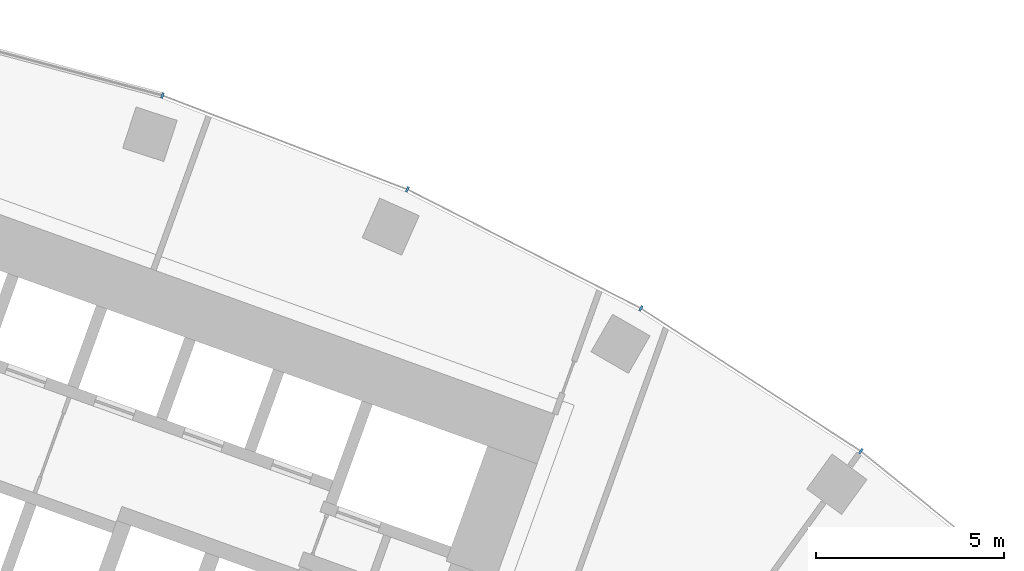
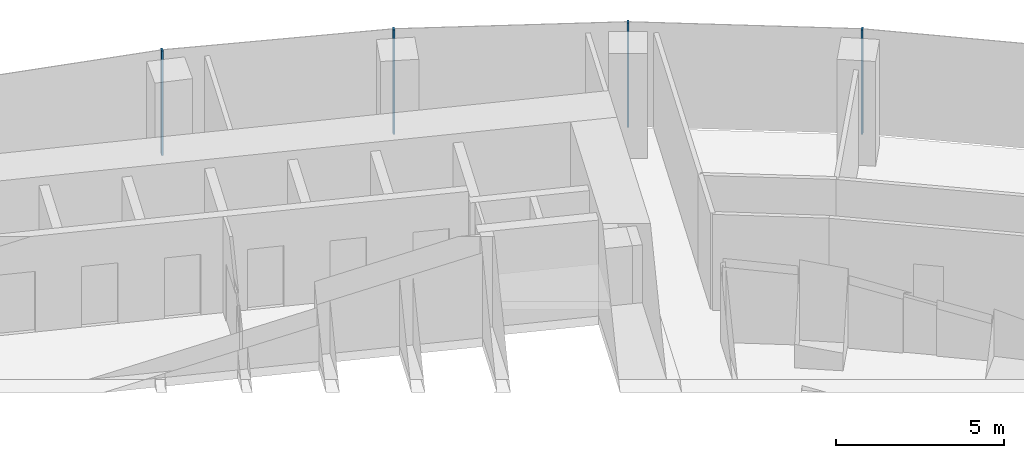
# One storey, part 9 of 19: 4 members, 1 element without a shape of its own.
"""IFC4 building model written with IfcOpenShell, lengths in metres."""

from ifc_helpers import new_model, si_unit, direction, frame, origin, origin_2d, place, context, subcontext, project, spatial, rectangle, extrude, material, layer, layer_set, material_profile, profile_set, type_object, element, aggregate, save


model = new_model("IFC4")

# Units and contexts
model_context = context("Model", 3, precision=1e-05, world=origin(), true_north=direction((0.0, 1.0)))
body_context = subcontext(model_context, "Body", "Model", "MODEL_VIEW")
ifc_project = project(units=[si_unit("LENGTHUNIT", "METRE"), si_unit("AREAUNIT", "SQUARE_METRE"), si_unit("VOLUMEUNIT", "CUBIC_METRE"), si_unit("PLANEANGLEUNIT", "RADIAN"), si_unit("MASSUNIT", "GRAM", prefix="KILO")], contexts=[model_context])

# Site, building, storey
site_placement = place(None, origin())
site = spatial("IfcSite", under=ifc_project, at=site_placement, CompositionType="ELEMENT")
building_placement = place(site_placement, origin())
building = spatial("IfcBuilding", under=site, at=building_placement, Name="Stone Belt Terrace Tower", CompositionType="ELEMENT")
storey_placement = place(building_placement, frame((0.0, 0.0, 128.800048828125)))
storey = spatial("IfcBuildingStorey", under=building, at=storey_placement, Name="L31", CompositionType="ELEMENT", Elevation=128.800048828125)

# Curtain wall, members
ifc_material = material(Name="Aluminium 6063-T6 anodised frame", Category="aluminium")
ifc_layer = layer(ifc_material, 0.14990234375)
ifc_layer_set = layer_set([ifc_layer], Name="CW-A unitised convex-face curtain wall")
curtain_wall_type = type_object("IfcCurtainWallType", Name="CW-A unitised convex-face curtain wall", PredefinedType="NOTDEFINED", material=ifc_layer_set)
curtain_wall_placement = place(storey_placement, origin())
curtain_wall = element("IfcCurtainWall", 1, at=curtain_wall_placement, inside=storey, type_object=curtain_wall_type, Name="CW-A convex face L31", PredefinedType="NOTDEFINED")
ifc_material_profile = material_profile(ifc_material, rectangle(XDim=0.14990234375, YDim=0.06005859375, at=origin_2d()), Name="Aluminium 6063-T6 60x150")
ifc_profile_set = profile_set([ifc_material_profile], Name="Aluminium 6063-T6 anodised frame")
member_type = type_object("IfcMemberType", Name="CW-A mullion 60 x 150", PredefinedType="MULLION", material=ifc_profile_set)
member_1_placement = place(storey_placement, frame((39.1318359375, 53.8603515625, 0.0), z_axis=(0.0, 0.0, 1.0), x_axis=(-0.587785252292, -0.809016994375, 0.0)))
member_1 = element("IfcMember", 2, at=member_1_placement, type_object=member_type, Name="CW-A mullion 4", PredefinedType="MULLION", context=body_context, shape_type="SweptSolid", body=[
    extrude(rectangle(XDim=0.14990234375, YDim=0.06005859375, at=origin_2d()), origin(), (0.0, 0.0, 1.0), 3.800048828125),
])
member_2_placement = place(storey_placement, frame((33.28759765625, 57.65576171875, 0.0), z_axis=(0.0, 0.0, 1.0), x_axis=(-0.5, -0.866025403784, 0.0)))
member_2 = element("IfcMember", 3, at=member_2_placement, type_object=member_type, Name="CW-A mullion 5", PredefinedType="MULLION", context=body_context, shape_type="SweptSolid", body=[
    extrude(rectangle(XDim=0.14990234375, YDim=0.06005859375, at=origin_2d()), origin(), (0.0, 0.0, 1.0), 3.800048828125),
])
member_3_placement = place(storey_placement, frame((27.07861328125, 60.8193359375, 0.0), z_axis=(0.0, 0.0, 1.0), x_axis=(-0.406736643076, -0.913545457643, 0.0)))
member_3 = element("IfcMember", 4, at=member_3_placement, type_object=member_type, Name="CW-A mullion 6", PredefinedType="MULLION", context=body_context, shape_type="SweptSolid", body=[
    extrude(rectangle(XDim=0.14990234375, YDim=0.06005859375, at=origin_2d()), origin(), (0.0, 0.0, 1.0), 3.800048828125),
])
member_4_placement = place(storey_placement, frame((20.57275390625, 63.316650390625, 0.0), z_axis=(0.0, 0.0, 1.0), x_axis=(-0.309016994375, -0.951056516295, 0.0)))
member_4 = element("IfcMember", 5, at=member_4_placement, type_object=member_type, Name="CW-A mullion 7", PredefinedType="MULLION", context=body_context, shape_type="SweptSolid", body=[
    extrude(rectangle(XDim=0.14990234375, YDim=0.06005859375, at=origin_2d()), origin(), (0.0, 0.0, 1.0), 3.800048828125),
])
aggregate(curtain_wall, [member_1, member_2, member_3, member_4])

save(model, "model.ifc")
